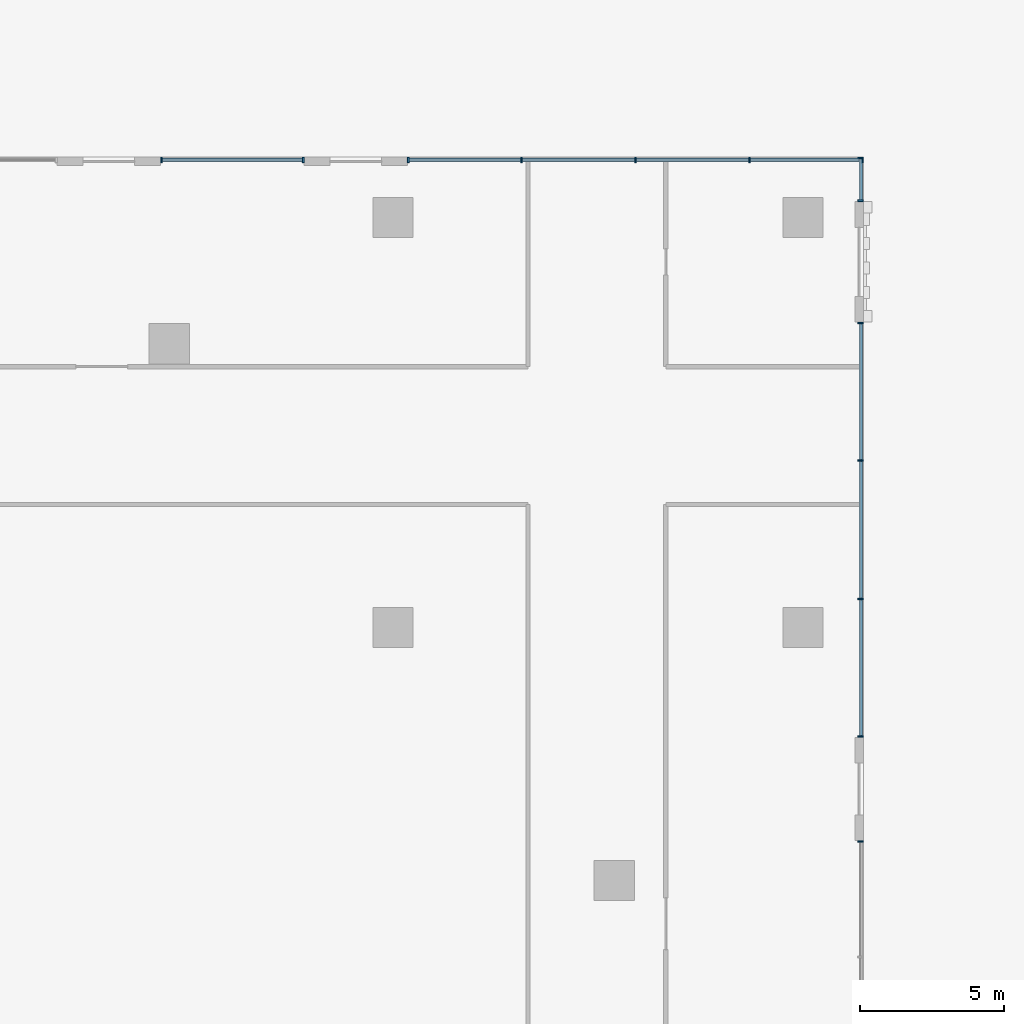
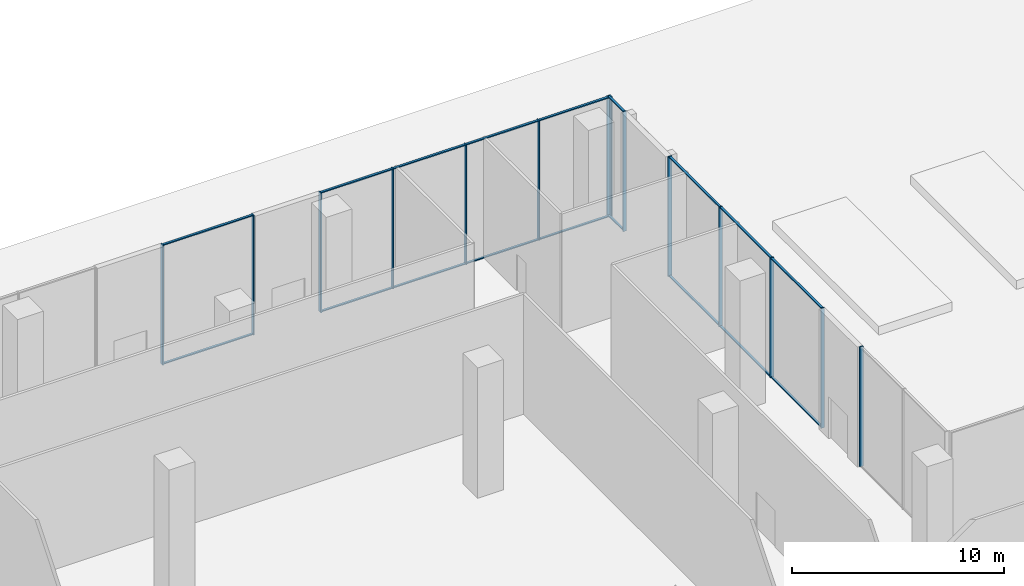
# One storey, part 10 of 26: 32 members, 5 elements without a shape of their own.
"""IFC4 building model written with IfcOpenShell, lengths in metres."""

import ifcopenshell
import ifcopenshell.guid

model = None  # the IFC model being written
_history = None  # IfcOwnerHistory: only IFC2X3 demands one
_inside = {}  # id of a spatial element -> (the spatial element, [elements in it])
_under = {}  # id of a project, library or spatial element -> (it, [spatial elements below it])
_declared = {}  # id of a project -> (the project, [libraries it declares])
_typed = {}  # id of a type object -> (the type object, [elements of that type])
_made_of = {}  # id of a material, layer set ... -> (it, [elements and type objects made of it])


def new_model(schema):
    """Start an empty IFC model of exactly this schema.

    Asked for "IFC4X3", IfcOpenShell would pick the latest addendum, in which some entities
    have other attributes; the version numbers below select the first issue.
    IFC2X3 requires an IfcOwnerHistory on every rooted entity: one is made here for all.
    """
    global model, _history
    if schema == "IFC4X3":
        model = ifcopenshell.file(schema_version=(4, 3, 0, 0))
    else:
        model = ifcopenshell.file(schema=schema)
    _inside.clear()
    _under.clear()
    _declared.clear()
    _typed.clear()
    _made_of.clear()
    _history = None
    if model.schema == "IFC2X3":
        org = make("IfcOrganization", Name="unknown")
        user = make(
            "IfcPersonAndOrganization",
            ThePerson=make("IfcPerson", FamilyName="unknown"),
            TheOrganization=org,
        )
        app = make(
            "IfcApplication",
            ApplicationDeveloper=org,
            Version="unknown",
            ApplicationFullName="unknown",
            ApplicationIdentifier="unknown",
        )
        _history = make(
            "IfcOwnerHistory",
            OwningUser=user,
            OwningApplication=app,
            ChangeAction="ADDED",
            CreationDate=0,
        )
    return model


def make(cls, **values):
    """One entity of the class cls with the attributes given. An attribute that is None is left unset."""
    return model.create_entity(
        cls, **{name: value for name, value in values.items() if value is not None}
    )


def rooted(cls, **values):
    """An entity with a GlobalId (a new one), such as an element, a storey or a relation."""
    return make(cls, GlobalId=ifcopenshell.guid.new(), OwnerHistory=_history, **values)


def si_unit(unit_type, name, prefix=None):
    """IfcSIUnit, for example si_unit("LENGTHUNIT", "METRE", prefix="MILLI")."""
    return make("IfcSIUnit", UnitType=unit_type, Prefix=prefix, Name=name)


def assignment(units):
    """IfcUnitAssignment: the units of a project."""
    return None if units is None else make("IfcUnitAssignment", Units=units)


def point(xyz):
    """IfcCartesianPoint."""
    return None if xyz is None else make("IfcCartesianPoint", Coordinates=xyz)


def direction(xyz):
    """IfcDirection."""
    return None if xyz is None else make("IfcDirection", DirectionRatios=xyz)


def frame(location, z_axis=None, x_axis=None):
    """IfcAxis2Placement3D, a coordinate frame: its origin and axes. An axis left out is left unset."""
    return make(
        "IfcAxis2Placement3D",
        Location=point(location),
        Axis=direction(z_axis),
        RefDirection=direction(x_axis),
    )


def frame_2d(location, x_axis=None):
    """IfcAxis2Placement2D, a coordinate frame in the plane: its origin and x axis."""
    return make(
        "IfcAxis2Placement2D", Location=point(location), RefDirection=direction(x_axis)
    )


def origin():
    """The frame at (0, 0, 0) with its axes left unset."""
    return frame((0.0, 0.0, 0.0))


def origin_2d():
    """The frame at (0, 0) in the plane with its x axis left unset."""
    return frame_2d((0.0, 0.0))


def place(relative_to, where):
    """IfcLocalPlacement: puts the frame where relative to a parent placement (None: the world)."""
    return make(
        "IfcLocalPlacement", PlacementRelTo=relative_to, RelativePlacement=where
    )


def context(
    kind, dimensions, precision=None, world=None, true_north=None, identifier=None
):
    """IfcGeometricRepresentationContext, for example the 3D "Model" context."""
    return make(
        "IfcGeometricRepresentationContext",
        ContextIdentifier=identifier,
        ContextType=kind,
        CoordinateSpaceDimension=dimensions,
        Precision=precision,
        WorldCoordinateSystem=world,
        TrueNorth=true_north,
    )


def subcontext(parent, identifier, kind, view, scale=None):
    """IfcGeometricRepresentationSubContext, for example "Body" below "Model"."""
    return make(
        "IfcGeometricRepresentationSubContext",
        ContextIdentifier=identifier,
        ContextType=kind,
        ParentContext=parent,
        TargetScale=scale,
        TargetView=view,
    )


def project(units=None, contexts=None):
    """IfcProject with its units and contexts."""
    return rooted(
        "IfcProject",
        Name="project",
        RepresentationContexts=contexts,
        UnitsInContext=assignment(units),
    )


def spatial(cls, under=None, at=None, **own):
    """A site, building, storey or space (cls), placed at a placement, below another one or the project."""
    s = rooted(cls, ObjectPlacement=at, **own)
    if under is not None:
        _under.setdefault(under.id(), (under, []))[1].append(s)
    return s


def profile(cls, at=None, kind="AREA", **sizes):
    """A parametric profile (cls). Its sizes go by their IFC names, for example OverallWidth=200.0."""
    return make(cls, ProfileType=kind, Position=at, **sizes)


def rectangle(**sizes):
    """IfcRectangleProfileDef."""
    return profile("IfcRectangleProfileDef", **sizes)


def extrude(swept, where, along, depth):
    """IfcExtrudedAreaSolid: the profile swept, set in the frame where, extruded along a direction by depth."""
    return make(
        "IfcExtrudedAreaSolid",
        SweptArea=swept,
        Position=where,
        ExtrudedDirection=direction(along),
        Depth=depth,
    )


def shape(context_of_items, identifier, shape_type, items):
    """IfcShapeRepresentation: the items that make up one representation, for example the "Body"."""
    return make(
        "IfcShapeRepresentation",
        ContextOfItems=context_of_items,
        RepresentationIdentifier=identifier,
        RepresentationType=shape_type,
        Items=items,
    )


def source(mapping_origin, context_of_items, identifier, shape_type, items):
    """IfcRepresentationMap: a shape defined once, which mapped items show again and again."""
    return make(
        "IfcRepresentationMap",
        MappingOrigin=mapping_origin,
        MappedRepresentation=shape(context_of_items, identifier, shape_type, items),
    )


def transform(
    local_origin,
    x_axis=None,
    y_axis=None,
    z_axis=None,
    scale=None,
    scale2=None,
    scale3=None,
    uniform=True,
):
    """IfcCartesianTransformationOperator3D, or its non-uniform kind. x_axis, y_axis, z_axis: its Axis1, 2, 3."""
    if uniform:
        return make(
            "IfcCartesianTransformationOperator3D",
            Axis1=direction(x_axis),
            Axis2=direction(y_axis),
            LocalOrigin=point(local_origin),
            Scale=scale,
            Axis3=direction(z_axis),
        )
    return make(
        "IfcCartesianTransformationOperator3DnonUniform",
        Axis1=direction(x_axis),
        Axis2=direction(y_axis),
        LocalOrigin=point(local_origin),
        Scale=scale,
        Axis3=direction(z_axis),
        Scale2=scale2,
        Scale3=scale3,
    )


def mapped(mapping_source, mapping_target):
    """IfcMappedItem: shows the shape of a source again, moved by a transform."""
    return make(
        "IfcMappedItem", MappingSource=mapping_source, MappingTarget=mapping_target
    )


def material(Name=None, Category=None):
    """IfcMaterial."""
    return make("IfcMaterial", Name=Name, Category=Category)


def layer(
    of_material, thickness, ventilated=None, Name=None, Category=None, Priority=None
):
    """IfcMaterialLayer: one layer of a wall or slab, of a material (None: an air gap)."""
    return make(
        "IfcMaterialLayer",
        Material=of_material,
        LayerThickness=thickness,
        IsVentilated=ventilated,
        Name=Name,
        Category=Category,
        Priority=Priority,
    )


def layer_set(layers, Name=None):
    """IfcMaterialLayerSet."""
    return make("IfcMaterialLayerSet", MaterialLayers=layers, LayerSetName=Name)


def material_profile(
    of_material, cross_section, Name=None, Category=None, Priority=None
):
    """IfcMaterialProfile: a cross section and its material."""
    return make(
        "IfcMaterialProfile",
        Name=Name,
        Material=of_material,
        Profile=cross_section,
        Priority=Priority,
        Category=Category,
    )


def profile_set(profiles, Name=None, composite=None):
    """IfcMaterialProfileSet."""
    return make(
        "IfcMaterialProfileSet",
        Name=Name,
        MaterialProfiles=profiles,
        CompositeProfile=composite,
    )


def made_of(thing, what):
    """Note that an element or type object is made of a material, layer set ...; save() writes the relation."""
    if what is not None:
        _made_of.setdefault(what.id(), (what, []))[1].append(thing)
    return thing


def type_object(cls, material=None, **own):
    """A type object (cls), such as IfcWallType, which elements share."""
    return made_of(rooted(cls, **own), material)


def element(
    cls,
    number,
    at=None,
    inside=None,
    cuts=None,
    type_object=None,
    material=None,
    context=None,
    identifier="Body",
    shape_type=None,
    held_by="IfcProductDefinitionShape",
    body=None,
    shapes=None,
    **own,
):
    """One element of the class cls, such as IfcWall. Its Tag is "e" and its number.

    at: its placement. inside: the storey or other place that contains it. cuts: it is an
    opening in that element (IfcRelVoidsElement). A single representation is given by context,
    identifier, shape_type and body (its items); several are given by shapes. held_by: the class
    of the entity that holds the representations. save() writes the other relations.
    """
    e = rooted(cls, Tag="e%d" % number, ObjectPlacement=at, **own)
    if body is not None:
        shapes = [shape(context, identifier, shape_type, body)]
    if shapes is not None:
        e.Representation = make(held_by, Representations=shapes)
    if inside is not None:
        _inside.setdefault(inside.id(), (inside, []))[1].append(e)
    if cuts is not None:
        rooted(
            "IfcRelVoidsElement", RelatingBuildingElement=cuts, RelatedOpeningElement=e
        )
    if type_object is not None:
        _typed.setdefault(type_object.id(), (type_object, []))[1].append(e)
    return made_of(e, material)


def aggregate(whole, parts):
    """IfcRelAggregates: a whole, such as a stair, and the parts it consists of."""
    return rooted("IfcRelAggregates", RelatingObject=whole, RelatedObjects=parts)


def save(model, path):
    """Write the relations noted so far, then the file.

    IfcRelAggregates (storeys below a building ...), IfcRelContainedInSpatialStructure (elements
    in a storey), IfcRelDefinesByType, IfcRelAssociatesMaterial and IfcRelDeclares: one each for
    every whole, place, type object, material and project.
    """
    for whole, parts in _under.values():
        aggregate(whole, parts)
    for where, things in _inside.values():
        rooted(
            "IfcRelContainedInSpatialStructure",
            RelatedElements=things,
            RelatingStructure=where,
        )
    for kind, things in _typed.values():
        rooted("IfcRelDefinesByType", RelatedObjects=things, RelatingType=kind)
    for what, things in _made_of.values():
        rooted("IfcRelAssociatesMaterial", RelatedObjects=things, RelatingMaterial=what)
    for by, libraries in _declared.values():
        rooted("IfcRelDeclares", RelatingContext=by, RelatedDefinitions=libraries)
    model.write(path)


model = new_model("IFC4")

# Units and contexts
model_context = context("Model", 3, precision=1e-05, world=origin(), true_north=direction((0.0, 1.0)))
body_context = subcontext(model_context, "Body", "Model", "MODEL_VIEW")
ifc_project = project(units=[si_unit("LENGTHUNIT", "METRE"), si_unit("AREAUNIT", "SQUARE_METRE"), si_unit("VOLUMEUNIT", "CUBIC_METRE"), si_unit("PLANEANGLEUNIT", "RADIAN"), si_unit("MASSUNIT", "GRAM", prefix="KILO")], contexts=[model_context])

# Site, building, storey
site_placement = place(None, origin())
site = spatial("IfcSite", under=ifc_project, at=site_placement, CompositionType="ELEMENT")
building_placement = place(site_placement, origin())
building = spatial("IfcBuilding", under=site, at=building_placement, Name="Aurelian Terraces", CompositionType="ELEMENT")
storey_placement = place(building_placement, origin())
storey = spatial("IfcBuildingStorey", under=building, at=storey_placement, Name="L00", CompositionType="ELEMENT", Elevation=0.0)

# Curtain wall, members
ifc_material_1 = material(Name="Anodised aluminium and clear glazing", Category="aluminium")
ifc_layer = layer(ifc_material_1, 0.2)
ifc_layer_set = layer_set([ifc_layer], Name="Podium shopfront curtain wall")
curtain_wall_type = type_object("IfcCurtainWallType", Name="Podium shopfront curtain wall", PredefinedType="NOTDEFINED", material=ifc_layer_set)
curtain_wall_1_placement = place(storey_placement, origin())
curtain_wall_1 = element("IfcCurtainWall", 1, at=curtain_wall_1_placement, inside=storey, type_object=curtain_wall_type, Name="Podium shopfront L00 F04.3", PredefinedType="NOTDEFINED")
ifc_material_2 = material(Name="Anodised aluminium", Category="aluminium")
ifc_material_profile_1 = material_profile(ifc_material_2, rectangle(XDim=0.12, YDim=0.06, at=origin_2d()))
ifc_profile_set_1 = profile_set([ifc_material_profile_1], Name="Anodised aluminium")
member_type_1 = type_object("IfcMemberType", Name="Podium shopfront transom", PredefinedType="USERDEFINED", material=ifc_profile_set_1)
member_1_placement = place(storey_placement, frame((54.08, 65.95, 0.03), z_axis=(0.0, 1.0, 0.0), x_axis=(-1.0, 0.0, 0.0)))
member_1 = element("IfcMember", 2, at=member_1_placement, type_object=member_type_1, Name="CW1 transom 1.1", ObjectType="TRANSOM", PredefinedType="USERDEFINED", context=body_context, shape_type="SweptSolid", body=[
    extrude(rectangle(XDim=0.12, YDim=0.06, at=origin_2d()), origin(), (0.0, 0.0, 1.0), 4.73),
])
member_2_placement = place(storey_placement, frame((54.08, 70.74, 0.03), z_axis=(0.0, 1.0, 0.0), x_axis=(-1.0, 0.0, 0.0)))
member_2 = element("IfcMember", 3, at=member_2_placement, type_object=member_type_1, Name="CW1 transom 2.1", ObjectType="TRANSOM", PredefinedType="USERDEFINED", context=body_context, shape_type="SweptSolid", body=[
    extrude(rectangle(XDim=0.12, YDim=0.06, at=origin_2d()), origin(), (0.0, 0.0, 1.0), 4.76),
])

# Curtain wall, member
curtain_wall_2_placement = place(storey_placement, origin())
curtain_wall_2 = element("IfcCurtainWall", 4, at=curtain_wall_2_placement, inside=storey, type_object=curtain_wall_type, Name="Podium shopfront L00 F04.5", PredefinedType="NOTDEFINED")
member_3_placement = place(storey_placement, frame((54.08, 84.61, 0.03), z_axis=(0.0, 1.0, 0.0), x_axis=(-1.0, 0.0, 0.0)))
member_3 = element("IfcMember", 5, at=member_3_placement, type_object=member_type_1, Name="CW1 transom 1.1", ObjectType="TRANSOM", PredefinedType="USERDEFINED", context=body_context, shape_type="SweptSolid", body=[
    extrude(rectangle(XDim=0.12, YDim=0.06, at=origin_2d()), origin(), (0.0, 0.0, 1.0), 1.43),
])

# Curtain wall, members
curtain_wall_3_placement = place(storey_placement, origin())
curtain_wall_3 = element("IfcCurtainWall", 6, at=curtain_wall_3_placement, inside=storey, type_object=curtain_wall_type, Name="Podium shopfront L00 F05.1", PredefinedType="NOTDEFINED")
member_4_placement = place(storey_placement, frame((54.12, 86.0, 0.03), z_axis=(-1.0, 0.0, 0.0), x_axis=(0.0, -1.0, 0.0)))
member_4 = element("IfcMember", 7, at=member_4_placement, type_object=member_type_1, Name="CW1 transom 1.1", ObjectType="TRANSOM", PredefinedType="USERDEFINED", context=body_context, shape_type="SweptSolid", body=[
    extrude(rectangle(XDim=0.12, YDim=0.06, at=origin_2d()), origin(), (0.0, 0.0, 1.0), 3.88),
])
member_5_placement = place(storey_placement, frame((50.18, 86.0, 0.03), z_axis=(-1.0, 0.0, 0.0), x_axis=(0.0, -1.0, 0.0)))
member_5 = element("IfcMember", 8, at=member_5_placement, type_object=member_type_1, Name="CW1 transom 2.1", ObjectType="TRANSOM", PredefinedType="USERDEFINED", context=body_context, shape_type="SweptSolid", body=[
    extrude(rectangle(XDim=0.12, YDim=0.06, at=origin_2d()), origin(), (0.0, 0.0, 1.0), 3.91),
])

# Curtain wall, member
curtain_wall_4_placement = place(storey_placement, origin())
curtain_wall_4 = element("IfcCurtainWall", 9, at=curtain_wall_4_placement, inside=storey, type_object=curtain_wall_type, Name="Podium shopfront L00 F04.1", PredefinedType="NOTDEFINED")
ifc_material_profile_2 = material_profile(ifc_material_2, rectangle(XDim=0.2, YDim=0.06, at=origin_2d()))
ifc_profile_set_2 = profile_set([ifc_material_profile_2], Name="Anodised aluminium")
member_type_2 = type_object("IfcMemberType", Name="Podium shopfront mullion", PredefinedType="MULLION", material=ifc_profile_set_2)
shared_shape_1 = source(origin(), body_context, "Body", "SweptSolid", [
    extrude(rectangle(XDim=0.2, YDim=0.06, at=origin_2d()), origin(), (0.0, 0.0, 1.0), 6.9),
])
member_6_placement = place(storey_placement, frame((54.08, 62.26, 0.0), z_axis=(0.0, 0.0, 1.0), x_axis=(-1.0, 0.0, 0.0)))
member_6 = element("IfcMember", 10, at=member_6_placement, type_object=member_type_2, Name="CW1 mullion 3", PredefinedType="MULLION", context=body_context, shape_type="MappedRepresentation", body=[
    mapped(shared_shape_1, transform((0.0, 0.0, 0.0), scale=1.0)),
])
aggregate(curtain_wall_4, [member_6])

# Member
member_7_placement = place(storey_placement, frame((54.08, 65.92, 0.0), z_axis=(0.0, 0.0, 1.0), x_axis=(-1.0, 0.0, 0.0)))
member_7 = element("IfcMember", 11, at=member_7_placement, type_object=member_type_2, Name="CW1 mullion 1", PredefinedType="MULLION", context=body_context, shape_type="MappedRepresentation", body=[
    mapped(shared_shape_1, transform((0.0, 0.0, 0.0), scale=1.0)),
])

member_8_placement = place(storey_placement, frame((54.08, 70.71, 0.0), z_axis=(0.0, 0.0, 1.0), x_axis=(-1.0, 0.0, 0.0)))
member_8 = element("IfcMember", 12, at=member_8_placement, type_object=member_type_2, Name="CW1 mullion 2", PredefinedType="MULLION", context=body_context, shape_type="MappedRepresentation", body=[
    mapped(shared_shape_1, transform((0.0, 0.0, 0.0), scale=1.0)),
])

member_9_placement = place(storey_placement, frame((54.08, 75.53, 0.0), z_axis=(0.0, 0.0, 1.0), x_axis=(-1.0, 0.0, 0.0)))
member_9 = element("IfcMember", 13, at=member_9_placement, type_object=member_type_2, Name="CW1 mullion 3", PredefinedType="MULLION", context=body_context, shape_type="MappedRepresentation", body=[
    mapped(shared_shape_1, transform((0.0, 0.0, 0.0), scale=1.0)),
])

member_10_placement = place(storey_placement, frame((54.08, 80.32, 0.0), z_axis=(0.0, 0.0, 1.0), x_axis=(-1.0, 0.0, 0.0)))
member_10 = element("IfcMember", 14, at=member_10_placement, type_object=member_type_2, Name="CW1 mullion 4", PredefinedType="MULLION", context=body_context, shape_type="MappedRepresentation", body=[
    mapped(shared_shape_1, transform((0.0, 0.0, 0.0), scale=1.0)),
])

member_11_placement = place(storey_placement, frame((54.08, 84.58, 0.0), z_axis=(0.0, 0.0, 1.0), x_axis=(-1.0, 0.0, 0.0)))
member_11 = element("IfcMember", 15, at=member_11_placement, type_object=member_type_2, Name="CW1 mullion 1", PredefinedType="MULLION", context=body_context, shape_type="MappedRepresentation", body=[
    mapped(shared_shape_1, transform((0.0, 0.0, 0.0), scale=1.0)),
])

member_12_placement = place(storey_placement, frame((54.08, 86.07, 0.0), z_axis=(0.0, 0.0, 1.0), x_axis=(-1.0, 0.0, 0.0)))
member_12 = element("IfcMember", 16, at=member_12_placement, type_object=member_type_2, Name="CW1 mullion 2", PredefinedType="MULLION", context=body_context, shape_type="MappedRepresentation", body=[
    mapped(shared_shape_1, transform((0.0, 0.0, 0.0), scale=1.0)),
])

member_13_placement = place(storey_placement, frame((54.15, 86.0, 0.0), z_axis=(0.0, 0.0, 1.0), x_axis=(0.0, -1.0, 0.0)))
member_13 = element("IfcMember", 17, at=member_13_placement, type_object=member_type_2, Name="CW1 mullion 1", PredefinedType="MULLION", context=body_context, shape_type="MappedRepresentation", body=[
    mapped(shared_shape_1, transform((0.0, 0.0, 0.0), scale=1.0)),
])

member_14_placement = place(storey_placement, frame((50.21, 86.0, 0.0), z_axis=(0.0, 0.0, 1.0), x_axis=(0.0, -1.0, 0.0)))
member_14 = element("IfcMember", 18, at=member_14_placement, type_object=member_type_2, Name="CW1 mullion 2", PredefinedType="MULLION", context=body_context, shape_type="MappedRepresentation", body=[
    mapped(shared_shape_1, transform((0.0, 0.0, 0.0), scale=1.0)),
])

member_15_placement = place(storey_placement, frame((46.24, 86.0, 0.0), z_axis=(0.0, 0.0, 1.0), x_axis=(0.0, -1.0, 0.0)))
member_15 = element("IfcMember", 19, at=member_15_placement, type_object=member_type_2, Name="CW1 mullion 3", PredefinedType="MULLION", context=body_context, shape_type="MappedRepresentation", body=[
    mapped(shared_shape_1, transform((0.0, 0.0, 0.0), scale=1.0)),
])

member_16_placement = place(storey_placement, frame((42.27, 86.0, 0.0), z_axis=(0.0, 0.0, 1.0), x_axis=(0.0, -1.0, 0.0)))
member_16 = element("IfcMember", 20, at=member_16_placement, type_object=member_type_2, Name="CW1 mullion 4", PredefinedType="MULLION", context=body_context, shape_type="MappedRepresentation", body=[
    mapped(shared_shape_1, transform((0.0, 0.0, 0.0), scale=1.0)),
])

member_17_placement = place(storey_placement, frame((38.33, 86.0, 0.0), z_axis=(0.0, 0.0, 1.0), x_axis=(0.0, -1.0, 0.0)))
member_17 = element("IfcMember", 21, at=member_17_placement, type_object=member_type_2, Name="CW1 mullion 5", PredefinedType="MULLION", context=body_context, shape_type="MappedRepresentation", body=[
    mapped(shared_shape_1, transform((0.0, 0.0, 0.0), scale=1.0)),
])

# Curtain wall, members
curtain_wall_5_placement = place(storey_placement, origin())
curtain_wall_5 = element("IfcCurtainWall", 22, at=curtain_wall_5_placement, inside=storey, type_object=curtain_wall_type, Name="Podium shopfront L00 F05.3", PredefinedType="NOTDEFINED")
member_18_placement = place(storey_placement, frame((34.67, 86.0, 0.0), z_axis=(0.0, 0.0, 1.0), x_axis=(0.0, -1.0, 0.0)))
member_18 = element("IfcMember", 23, at=member_18_placement, type_object=member_type_2, Name="CW1 mullion 1", PredefinedType="MULLION", context=body_context, shape_type="MappedRepresentation", body=[
    mapped(shared_shape_1, transform((0.0, 0.0, 0.0), scale=1.0)),
])
member_19_placement = place(storey_placement, frame((29.73, 86.0, 0.0), z_axis=(0.0, 0.0, 1.0), x_axis=(0.0, -1.0, 0.0)))
member_19 = element("IfcMember", 24, at=member_19_placement, type_object=member_type_2, Name="CW1 mullion 2", PredefinedType="MULLION", context=body_context, shape_type="MappedRepresentation", body=[
    mapped(shared_shape_1, transform((0.0, 0.0, 0.0), scale=1.0)),
])
shared_shape_2 = source(origin(), body_context, "Body", "SweptSolid", [
    extrude(rectangle(XDim=0.12, YDim=0.06, at=origin_2d()), origin(), (0.0, 0.0, 1.0), 4.88),
])
member_20_placement = place(storey_placement, frame((34.64, 86.0, 0.03), z_axis=(-1.0, 0.0, 0.0), x_axis=(0.0, -1.0, 0.0)))
member_20 = element("IfcMember", 25, at=member_20_placement, type_object=member_type_1, Name="CW1 transom 1.1", ObjectType="TRANSOM", PredefinedType="USERDEFINED", context=body_context, shape_type="MappedRepresentation", body=[
    mapped(shared_shape_2, transform((0.0, 0.0, 0.0), scale=1.0)),
])
member_21_placement = place(storey_placement, frame((34.64, 86.0, 6.87), z_axis=(-1.0, 0.0, 0.0), x_axis=(0.0, -1.0, 0.0)))
member_21 = element("IfcMember", 26, at=member_21_placement, type_object=member_type_1, Name="CW1 transom 1.2", ObjectType="TRANSOM", PredefinedType="USERDEFINED", context=body_context, shape_type="MappedRepresentation", body=[
    mapped(shared_shape_2, transform((0.0, 0.0, 0.0), scale=1.0)),
])
aggregate(curtain_wall_5, [member_18, member_19, member_20, member_21])

# Member
shared_shape_3 = source(origin(), body_context, "Body", "SweptSolid", [
    extrude(rectangle(XDim=0.12, YDim=0.06, at=origin_2d()), origin(), (0.0, 0.0, 1.0), 4.73),
])
member_22_placement = place(storey_placement, frame((54.08, 65.95, 6.87), z_axis=(0.0, 1.0, 0.0), x_axis=(-1.0, 0.0, 0.0)))
member_22 = element("IfcMember", 27, at=member_22_placement, type_object=member_type_1, Name="CW1 transom 1.2", ObjectType="TRANSOM", PredefinedType="USERDEFINED", context=body_context, shape_type="MappedRepresentation", body=[
    mapped(shared_shape_3, transform((0.0, 0.0, 0.0), scale=1.0)),
])

member_23_placement = place(storey_placement, frame((54.08, 75.56, 0.03), z_axis=(0.0, 1.0, 0.0), x_axis=(-1.0, 0.0, 0.0)))
member_23 = element("IfcMember", 28, at=member_23_placement, type_object=member_type_1, Name="CW1 transom 3.1", ObjectType="TRANSOM", PredefinedType="USERDEFINED", context=body_context, shape_type="MappedRepresentation", body=[
    mapped(shared_shape_3, transform((0.0, 0.0, 0.0), scale=1.0)),
])

member_24_placement = place(storey_placement, frame((54.08, 75.56, 6.87), z_axis=(0.0, 1.0, 0.0), x_axis=(-1.0, 0.0, 0.0)))
member_24 = element("IfcMember", 29, at=member_24_placement, type_object=member_type_1, Name="CW1 transom 3.2", ObjectType="TRANSOM", PredefinedType="USERDEFINED", context=body_context, shape_type="MappedRepresentation", body=[
    mapped(shared_shape_3, transform((0.0, 0.0, 0.0), scale=1.0)),
])

shared_shape_4 = source(origin(), body_context, "Body", "SweptSolid", [
    extrude(rectangle(XDim=0.12, YDim=0.06, at=origin_2d()), origin(), (0.0, 0.0, 1.0), 4.76),
])
member_25_placement = place(storey_placement, frame((54.08, 70.74, 6.87), z_axis=(0.0, 1.0, 0.0), x_axis=(-1.0, 0.0, 0.0)))
member_25 = element("IfcMember", 30, at=member_25_placement, type_object=member_type_1, Name="CW1 transom 2.2", ObjectType="TRANSOM", PredefinedType="USERDEFINED", context=body_context, shape_type="MappedRepresentation", body=[
    mapped(shared_shape_4, transform((0.0, 0.0, 0.0), scale=1.0)),
])

aggregate(curtain_wall_1, [member_7, member_8, member_9, member_10, member_1, member_22, member_2, member_25, member_23, member_24])

shared_shape_5 = source(origin(), body_context, "Body", "SweptSolid", [
    extrude(rectangle(XDim=0.12, YDim=0.06, at=origin_2d()), origin(), (0.0, 0.0, 1.0), 1.43),
])
member_26_placement = place(storey_placement, frame((54.08, 84.61, 6.87), z_axis=(0.0, 1.0, 0.0), x_axis=(-1.0, 0.0, 0.0)))
member_26 = element("IfcMember", 31, at=member_26_placement, type_object=member_type_1, Name="CW1 transom 1.2", ObjectType="TRANSOM", PredefinedType="USERDEFINED", context=body_context, shape_type="MappedRepresentation", body=[
    mapped(shared_shape_5, transform((0.0, 0.0, 0.0), scale=1.0)),
])

aggregate(curtain_wall_2, [member_11, member_12, member_3, member_26])

shared_shape_6 = source(origin(), body_context, "Body", "SweptSolid", [
    extrude(rectangle(XDim=0.12, YDim=0.06, at=origin_2d()), origin(), (0.0, 0.0, 1.0), 3.88),
])
member_27_placement = place(storey_placement, frame((54.12, 86.0, 6.87), z_axis=(-1.0, 0.0, 0.0), x_axis=(0.0, -1.0, 0.0)))
member_27 = element("IfcMember", 32, at=member_27_placement, type_object=member_type_1, Name="CW1 transom 1.2", ObjectType="TRANSOM", PredefinedType="USERDEFINED", context=body_context, shape_type="MappedRepresentation", body=[
    mapped(shared_shape_6, transform((0.0, 0.0, 0.0), scale=1.0)),
])

member_28_placement = place(storey_placement, frame((42.24, 86.0, 0.03), z_axis=(-1.0, 0.0, 0.0), x_axis=(0.0, -1.0, 0.0)))
member_28 = element("IfcMember", 33, at=member_28_placement, type_object=member_type_1, Name="CW1 transom 4.1", ObjectType="TRANSOM", PredefinedType="USERDEFINED", context=body_context, shape_type="MappedRepresentation", body=[
    mapped(shared_shape_6, transform((0.0, 0.0, 0.0), scale=1.0)),
])

member_29_placement = place(storey_placement, frame((42.24, 86.0, 6.87), z_axis=(-1.0, 0.0, 0.0), x_axis=(0.0, -1.0, 0.0)))
member_29 = element("IfcMember", 34, at=member_29_placement, type_object=member_type_1, Name="CW1 transom 4.2", ObjectType="TRANSOM", PredefinedType="USERDEFINED", context=body_context, shape_type="MappedRepresentation", body=[
    mapped(shared_shape_6, transform((0.0, 0.0, 0.0), scale=1.0)),
])

shared_shape_7 = source(origin(), body_context, "Body", "SweptSolid", [
    extrude(rectangle(XDim=0.12, YDim=0.06, at=origin_2d()), origin(), (0.0, 0.0, 1.0), 3.91),
])
member_30_placement = place(storey_placement, frame((50.18, 86.0, 6.87), z_axis=(-1.0, 0.0, 0.0), x_axis=(0.0, -1.0, 0.0)))
member_30 = element("IfcMember", 35, at=member_30_placement, type_object=member_type_1, Name="CW1 transom 2.2", ObjectType="TRANSOM", PredefinedType="USERDEFINED", context=body_context, shape_type="MappedRepresentation", body=[
    mapped(shared_shape_7, transform((0.0, 0.0, 0.0), scale=1.0)),
])

member_31_placement = place(storey_placement, frame((46.21, 86.0, 0.03), z_axis=(-1.0, 0.0, 0.0), x_axis=(0.0, -1.0, 0.0)))
member_31 = element("IfcMember", 36, at=member_31_placement, type_object=member_type_1, Name="CW1 transom 3.1", ObjectType="TRANSOM", PredefinedType="USERDEFINED", context=body_context, shape_type="MappedRepresentation", body=[
    mapped(shared_shape_7, transform((0.0, 0.0, 0.0), scale=1.0)),
])

member_32_placement = place(storey_placement, frame((46.21, 86.0, 6.87), z_axis=(-1.0, 0.0, 0.0), x_axis=(0.0, -1.0, 0.0)))
member_32 = element("IfcMember", 37, at=member_32_placement, type_object=member_type_1, Name="CW1 transom 3.2", ObjectType="TRANSOM", PredefinedType="USERDEFINED", context=body_context, shape_type="MappedRepresentation", body=[
    mapped(shared_shape_7, transform((0.0, 0.0, 0.0), scale=1.0)),
])

aggregate(curtain_wall_3, [member_13, member_14, member_15, member_16, member_17, member_4, member_27, member_5, member_30, member_31, member_32, member_28, member_29])

save(model, "model.ifc")
